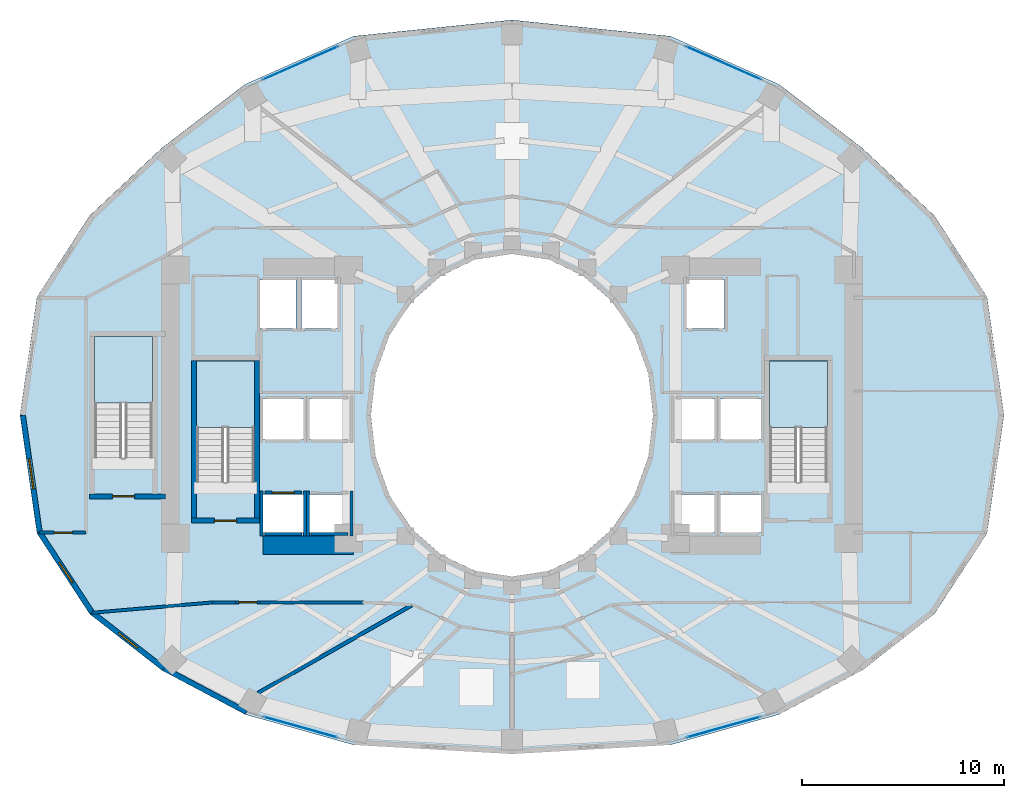
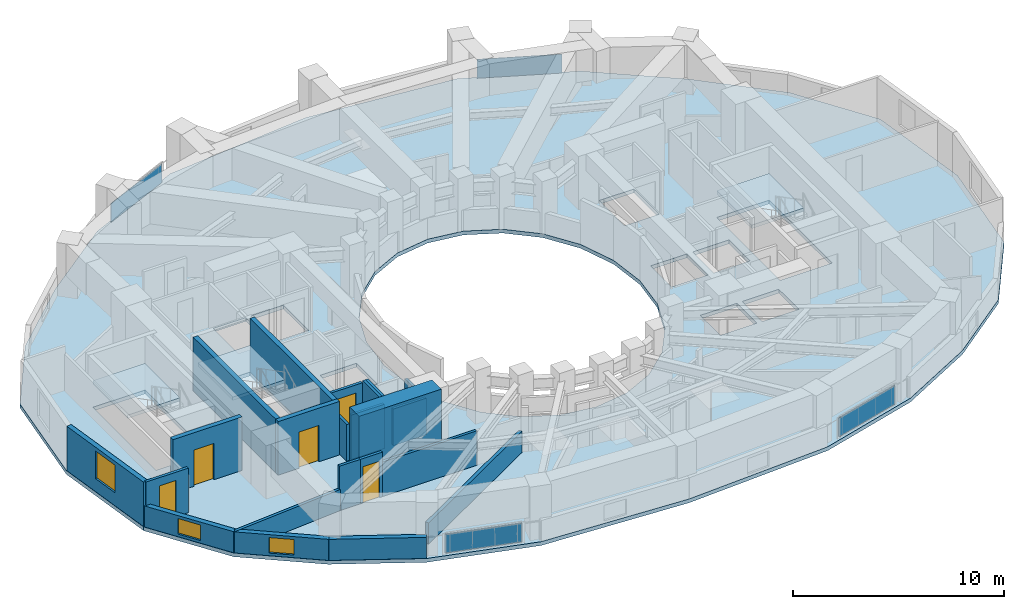
# One storey, part 8 of 16: 22 walls, 5 doors, 4 plates, 4 slabs, 3 windows, 8 openings, 7 elements without a shape of their own.
"""IFC4 building model written with IfcOpenShell, lengths in metres."""

from ifc_helpers import new_model, si_unit, direction, frame, frame_2d, origin, origin_2d, place, context, subcontext, project, spatial, polyline, rectangle, outline, extrude, material, layer, layer_set, type_object, element, fill, aggregate, save


model = new_model("IFC4")

# Units and contexts
model_context = context("Model", 3, precision=1e-05, world=origin(), true_north=direction((0.0, 1.0)))
body_context = subcontext(model_context, "Body", "Model", "MODEL_VIEW")
ifc_project = project(units=[si_unit("LENGTHUNIT", "METRE"), si_unit("AREAUNIT", "SQUARE_METRE"), si_unit("VOLUMEUNIT", "CUBIC_METRE"), si_unit("PLANEANGLEUNIT", "RADIAN"), si_unit("MASSUNIT", "GRAM", prefix="KILO")], contexts=[model_context])

# Site, building, storey
site_placement = place(None, origin())
site = spatial("IfcSite", under=ifc_project, at=site_placement, CompositionType="ELEMENT")
building_placement = place(site_placement, origin())
building = spatial("IfcBuilding", under=site, at=building_placement, Name="Solvane Sanctuary Tower", CompositionType="ELEMENT")
storey_placement = place(building_placement, frame((0.0, 0.0, 82.5)))
storey = spatial("IfcBuildingStorey", under=building, at=storey_placement, Name="L24", CompositionType="ELEMENT", Elevation=82.5)

# Curtain wall, plate
ifc_material_1 = material(Name="Anodised Aluminium 6063-T6", Category="aluminium")
ifc_layer_1 = layer(ifc_material_1, 0.179931640625, Name="Anodised Aluminium 6063-T6")
ifc_layer_set_1 = layer_set([ifc_layer_1], Name="Anodised Aluminium 6063-T6")
curtain_wall_type = type_object("IfcCurtainWallType", Name="Curtain Wall CW-FRIT-Z2", PredefinedType="NOTDEFINED", material=ifc_layer_set_1)
curtain_wall_1_placement = place(storey_placement, origin())
curtain_wall_1 = element("IfcCurtainWall", 1, at=curtain_wall_1_placement, inside=storey, type_object=curtain_wall_type, Name="L24 CW-FRIT-Z2 Facade Run 04", PredefinedType="NOTDEFINED")
ifc_material_2 = material(Name="Dark Ceramic-Fritted Low-E Glass", Category="glass")
ifc_layer_2 = layer(ifc_material_2, 0.031982421875, Name="Dark Ceramic-Fritted Low-E Glass")
ifc_layer_set_2 = layer_set([ifc_layer_2], Name="Dark Ceramic-Fritted Low-E Glass")
plate_type = type_object("IfcPlateType", Name="Plate PN-FRIT-VIS", PredefinedType="CURTAIN_PANEL", material=ifc_layer_set_2)
plate_1_placement = place(storey_placement, frame((42.494873046875, 40.46435546875, 0.06494140625), z_axis=(0.0, 0.0, 1.0), x_axis=(-0.914338607285, 0.404950504664, 0.0)))
plate_1 = element("IfcPlate", 2, at=plate_1_placement, type_object=plate_type, Name="CW-FRIT-Z2 panel 1.1", PredefinedType="CURTAIN_PANEL", context=body_context, shape_type="SweptSolid", body=[
    extrude(rectangle(XDim=4.06884765625, YDim=0.031982421875, at=origin_2d()), origin(), (0.0, 0.0, 1.0), 1.090087890625),
])
aggregate(curtain_wall_1, [plate_1])

curtain_wall_2_placement = place(storey_placement, origin())
curtain_wall_2 = element("IfcCurtainWall", 3, at=curtain_wall_2_placement, inside=storey, type_object=curtain_wall_type, Name="L24 CW-FRIT-Z2 Facade Run 07", PredefinedType="NOTDEFINED")
plate_2_placement = place(storey_placement, frame((21.505126953125, 40.46435546875, 0.06494140625), z_axis=(0.0, 0.0, 1.0), x_axis=(-0.914338607285, -0.404950504664, 0.0)))
plate_2 = element("IfcPlate", 4, at=plate_2_placement, type_object=plate_type, Name="CW-FRIT-Z2 panel 1.1", PredefinedType="CURTAIN_PANEL", context=body_context, shape_type="SweptSolid", body=[
    extrude(rectangle(XDim=4.06884765625, YDim=0.031982421875, at=origin_2d()), origin(), (0.0, 0.0, 1.0), 1.090087890625),
])
aggregate(curtain_wall_2, [plate_2])

curtain_wall_3_placement = place(storey_placement, origin())
curtain_wall_3 = element("IfcCurtainWall", 5, at=curtain_wall_3_placement, inside=storey, type_object=curtain_wall_type, Name="L24 CW-FRIT-Z2 Facade Run 16", PredefinedType="NOTDEFINED")
plate_3_placement = place(storey_placement, frame((21.505126953125, 7.528564453125, 0.06494140625), z_axis=(0.0, 0.0, 1.0), x_axis=(0.962943103308, -0.269704615814, 0.0)))
plate_3 = element("IfcPlate", 6, at=plate_3_placement, type_object=plate_type, Name="CW-FRIT-Z2 panel 1.1", PredefinedType="CURTAIN_PANEL", context=body_context, shape_type="SweptSolid", body=[
    extrude(rectangle(XDim=3.773193359375, YDim=0.031982421875, at=origin_2d()), origin(), (0.0, 0.0, 1.0), 1.090087890625),
])
aggregate(curtain_wall_3, [plate_3])

curtain_wall_4_placement = place(storey_placement, origin())
curtain_wall_4 = element("IfcCurtainWall", 7, at=curtain_wall_4_placement, inside=storey, type_object=curtain_wall_type, Name="L24 CW-FRIT-Z2 Facade Run 19", PredefinedType="NOTDEFINED")
plate_4_placement = place(storey_placement, frame((42.494873046875, 7.528564453125, 0.06494140625), z_axis=(0.0, 0.0, 1.0), x_axis=(0.962943103308, 0.269704615814, 0.0)))
plate_4 = element("IfcPlate", 8, at=plate_4_placement, type_object=plate_type, Name="CW-FRIT-Z2 panel 1.1", PredefinedType="CURTAIN_PANEL", context=body_context, shape_type="SweptSolid", body=[
    extrude(rectangle(XDim=3.773193359375, YDim=0.031982421875, at=origin_2d()), origin(), (0.0, 0.0, 1.0), 1.090087890625),
])
aggregate(curtain_wall_4, [plate_4])

# Stair, slab
ifc_material_3 = material(Name="Concrete C45/55", Category="concrete")
stair_type = type_object("IfcStairType", Name="Stair ST-TOW", PredefinedType="HALF_TURN_STAIR", material=ifc_material_3)
stair_1_placement = place(storey_placement, origin())
stair_1 = element("IfcStair", 9, at=stair_1_placement, inside=storey, type_object=stair_type, Name="L24 Exit Stair ST-1 West Core", PredefinedType="HALF_TURN_STAIR")
ifc_layer_3 = layer(ifc_material_3, 0.199951171875, Name="Concrete C45/55")
ifc_layer_set_3 = layer_set([ifc_layer_3], Name="Concrete C45/55")
slab_type_1 = type_object("IfcSlabType", Name="Slab SL-LAND-180", PredefinedType="LANDING", material=ifc_layer_set_3)
slab_1_placement = place(storey_placement, frame((0.0, 0.0, 1.35009765625)))
slab_1 = element("IfcSlab", 10, at=slab_1_placement, type_object=slab_type_1, Name="ST-1 landing 1", PredefinedType="LANDING", context=body_context, shape_type="SweptSolid", body=[
    extrude(outline(polyline([(19.219970703125, 22.39990234375), (19.219970703125, 25.699951171875), (16.360107421875, 25.699951171875), (16.360107421875, 22.39990234375), (19.219970703125, 22.39990234375)])), origin(), (0.0, 0.0, 1.0), 0.199951171875),
])
aggregate(stair_1, [slab_1])

stair_2_placement = place(storey_placement, origin())
stair_2 = element("IfcStair", 11, at=stair_2_placement, inside=storey, type_object=stair_type, Name="L24 Exit Stair ST-2 East Core", PredefinedType="HALF_TURN_STAIR")
slab_2_placement = place(storey_placement, frame((0.0, 0.0, 1.35009765625)))
slab_2 = element("IfcSlab", 12, at=slab_2_placement, type_object=slab_type_1, Name="ST-2 landing 1", PredefinedType="LANDING", context=body_context, shape_type="SweptSolid", body=[
    extrude(outline(polyline([(47.639892578125, 22.39990234375), (47.639892578125, 25.699951171875), (44.780029296875, 25.699951171875), (44.780029296875, 22.39990234375), (47.639892578125, 22.39990234375)])), origin(), (0.0, 0.0, 1.0), 0.199951171875),
])
aggregate(stair_2, [slab_2])

stair_3_placement = place(storey_placement, origin())
stair_3 = element("IfcStair", 13, at=stair_3_placement, inside=storey, type_object=stair_type, Name="L24 Exit Stair ST-3 Pilgrim Tower Stair", PredefinedType="HALF_TURN_STAIR")
slab_3_placement = place(storey_placement, frame((0.0, 0.0, 1.35009765625)))
slab_3 = element("IfcSlab", 14, at=slab_3_placement, type_object=slab_type_1, Name="ST-3 landing 1", PredefinedType="LANDING", context=body_context, shape_type="SweptSolid", body=[
    extrude(outline(polyline([(14.159912109375, 23.60009765625), (14.159912109375, 26.89990234375), (11.300048828125, 26.89990234375), (11.300048828125, 23.60009765625), (14.159912109375, 23.60009765625)])), origin(), (0.0, 0.0, 1.0), 0.199951171875),
])
aggregate(stair_3, [slab_3])

# Slab
ifc_layer_4 = layer(ifc_material_3, 0.219970703125, Name="Concrete C45/55")
ifc_layer_set_4 = layer_set([ifc_layer_4], Name="Concrete C45/55")
slab_type_2 = type_object("IfcSlabType", Name="Slab SL-TOW-220", PredefinedType="FLOOR", material=ifc_layer_set_4)
slab_4_placement = place(storey_placement, frame((0.0, 0.0, -0.219970703125)))
element("IfcSlab", 15, at=slab_4_placement, inside=storey, type_object=slab_type_2, Name="L24 Primary Structural Slab", PredefinedType="FLOOR", context=body_context, shape_type="SweptSolid", body=[
    extrude(outline(polyline([(56.39990234375, 23.0), (55.556884765625, 28.86376953125), (52.94091796875, 32.903076171875), (49.365478515625, 36.255126953125), (45.249267578125, 39.404296875), (39.861328125, 41.795166015625), (32.0, 42.60009765625), (24.138671875, 41.795166015625), (18.750732421875, 39.404296875), (14.634521484375, 36.255126953125), (11.05908203125, 32.903076171875), (8.443115234375, 28.86376953125), (7.60009765625, 23.0), (8.443115234375, 17.13623046875), (11.05908203125, 13.1376953125), (14.634521484375, 10.349609375), (18.750732421875, 8.16455078125), (24.138671875, 6.652587890625), (32.0, 6.199951171875), (39.861328125, 6.652587890625), (45.249267578125, 8.16455078125), (49.365478515625, 10.349609375), (52.94091796875, 13.1376953125), (55.556884765625, 17.13623046875), (56.39990234375, 23.0)]), holes=[polyline([(38.761474609375, 20.929443359375), (38.062255859375, 19.0), (36.94970703125, 17.343017578125), (35.5, 16.07177734375), (33.811767578125, 15.272705078125), (32.0, 15.0), (30.188232421875, 15.272705078125), (28.5, 16.07177734375), (27.05029296875, 17.343017578125), (25.937744140625, 19.0), (25.238525390625, 20.929443359375), (25.0, 23.0), (25.238525390625, 25.070556640625), (25.937744140625, 27.0), (27.05029296875, 28.656982421875), (28.5, 29.92822265625), (30.188232421875, 30.727294921875), (32.0, 31.0), (33.811767578125, 30.727294921875), (35.5, 29.92822265625), (36.94970703125, 28.656982421875), (38.062255859375, 27.0), (38.761474609375, 25.070556640625), (39.0, 23.0), (38.761474609375, 20.929443359375)]), polyline([(16.360107421875, 19.699951171875), (16.360107421875, 25.699951171875), (19.219970703125, 25.699951171875), (19.219970703125, 19.699951171875), (16.360107421875, 19.699951171875)]), polyline([(44.780029296875, 19.699951171875), (44.780029296875, 25.699951171875), (47.639892578125, 25.699951171875), (47.639892578125, 19.699951171875), (44.780029296875, 19.699951171875)]), polyline([(11.300048828125, 20.89990234375), (11.300048828125, 26.89990234375), (14.159912109375, 26.89990234375), (14.159912109375, 20.89990234375), (11.300048828125, 20.89990234375)]), polyline([(19.64990234375, 19.080078125), (21.64990234375, 19.080078125), (21.64990234375, 17.179931640625), (19.64990234375, 17.179931640625), (19.64990234375, 19.080078125)]), polyline([(21.949951171875, 19.080078125), (23.949951171875, 19.080078125), (23.949951171875, 17.179931640625), (21.949951171875, 17.179931640625), (21.949951171875, 19.080078125)]), polyline([(40.050048828125, 19.080078125), (42.050048828125, 19.080078125), (42.050048828125, 17.179931640625), (40.050048828125, 17.179931640625), (40.050048828125, 19.080078125)]), polyline([(42.35009765625, 19.080078125), (44.35009765625, 19.080078125), (44.35009765625, 17.179931640625), (42.35009765625, 17.179931640625), (42.35009765625, 19.080078125)]), polyline([(19.64990234375, 23.800048828125), (21.64990234375, 23.800048828125), (21.64990234375, 21.800048828125), (19.64990234375, 21.800048828125), (19.64990234375, 23.800048828125)]), polyline([(42.35009765625, 23.800048828125), (44.35009765625, 23.800048828125), (44.35009765625, 21.800048828125), (42.35009765625, 21.800048828125), (42.35009765625, 23.800048828125)]), polyline([(21.949951171875, 23.800048828125), (23.949951171875, 23.800048828125), (23.949951171875, 21.800048828125), (21.949951171875, 21.800048828125), (21.949951171875, 23.800048828125)]), polyline([(40.050048828125, 23.800048828125), (42.050048828125, 23.800048828125), (42.050048828125, 21.800048828125), (40.050048828125, 21.800048828125), (40.050048828125, 23.800048828125)]), polyline([(19.5, 29.699951171875), (21.300048828125, 29.699951171875), (21.300048828125, 27.300048828125), (19.5, 27.300048828125), (19.5, 29.699951171875)]), polyline([(21.550048828125, 29.699951171875), (23.35009765625, 29.699951171875), (23.35009765625, 27.300048828125), (21.550048828125, 27.300048828125), (21.550048828125, 29.699951171875)]), polyline([(40.64990234375, 29.699951171875), (42.550048828125, 29.699951171875), (42.550048828125, 27.300048828125), (40.64990234375, 27.300048828125), (40.64990234375, 29.699951171875)])]), origin(), (0.0, 0.0, 1.0), 0.219970703125),
])

# Wall
ifc_material_4 = material(Name="Concrete C70/85", Category="concrete")
ifc_layer_5 = layer(ifc_material_4, 0.89990234375, Name="Concrete C70/85")
ifc_layer_set_5 = layer_set([ifc_layer_5], Name="Concrete C70/85")
wall_type_1 = type_object("IfcWallType", Name="Wall W-CORE-900", PredefinedType="SHEAR", material=ifc_layer_set_5)
wall_1_placement = place(storey_placement, frame((19.64990234375, 16.550048828125, 0.0), z_axis=(0.0, 0.0, 1.0), x_axis=(1.0, 0.0, 0.0)))
element("IfcWall", 16, at=wall_1_placement, inside=storey, type_object=wall_type_1, Name="L24 Core Shear Wall WC-S", PredefinedType="SHEAR", context=body_context, shape_type="SweptSolid", body=[
    extrude(rectangle(XDim=4.5, YDim=0.89990234375, at=frame_2d((2.25, 0.0))), origin(), (0.0, 0.0, 1.0), 3.10009765625),
])

# Wall, opening, door
ifc_material_5 = material(Name="Acoustic Gypsum Partition Board")
ifc_layer_6 = layer(ifc_material_5, 0.14990234375, Name="Acoustic Gypsum Partition Board")
ifc_layer_set_6 = layer_set([ifc_layer_6], Name="Acoustic Gypsum Partition Board")
wall_type_2 = type_object("IfcWallType", Name="Wall W-CORR-150", PredefinedType="PARTITIONING", material=ifc_layer_set_6)
wall_2_placement = place(storey_placement, frame((8.558349609375, 17.1748046875, 0.0), z_axis=(0.0, 0.0, 1.0), x_axis=(1.0, 0.0, 0.0)))
wall_2 = element("IfcWall", 17, at=wall_2_placement, inside=storey, type_object=wall_type_2, Name="L24 West Shoulder South Wall", PredefinedType="PARTITIONING", context=body_context, shape_type="SweptSolid", body=[
    extrude(rectangle(XDim=2.321533203125, YDim=0.14990234375, at=frame_2d((1.16064453125, 0.0))), origin(), (0.0, 0.0, 1.0), 2.574951171875),
])
opening_1_placement = place(wall_2_placement, frame((0.739013671875, 0.0, 0.0)))
opening_1 = element("IfcOpeningElement", 18, at=opening_1_placement, cuts=wall_2, Name="Opening D-L24-10", PredefinedType="OPENING", context=body_context, shape_type="SweptSolid", body=[
    extrude(rectangle(XDim=0.89990234375, YDim=2.10009765625, at=frame_2d((0.449951171875, 1.050048828125))), frame((0.0, 0.0849609375, 0.0), z_axis=(0.0, -1.0, 0.0), x_axis=(1.0, 0.0, 0.0)), (0.0, 0.0, 1.0), 0.169921875),
])
ifc_material_6 = material(Name="Engineered Tropical Hardwood", Category="wood")
door_type_1 = type_object("IfcDoorType", Name="Door D-WET-900", OperationType="NOTDEFINED", PredefinedType="DOOR", material=ifc_material_6)
door_1_placement = place(opening_1_placement, origin())
door_1 = element("IfcDoor", 19, at=door_1_placement, inside=storey, type_object=door_type_1, Name="L24 West Shoulder South Door", OperationType="SINGLE_SWING_LEFT", OverallHeight=2.10009765625, OverallWidth=0.89990234375, PredefinedType="DOOR", context=body_context, shape_type="SweptSolid", body=[
    extrude(rectangle(XDim=0.89990234375, YDim=2.10009765625, at=frame_2d((0.449951171875, 1.050048828125))), frame((0.0, 0.02490234375, 0.0), z_axis=(0.0, -1.0, 0.0), x_axis=(1.0, 0.0, 0.0)), (0.0, 0.0, 1.0), 0.050048828125),
])
fill(opening_1, door_1)

# Wall
wall_3_placement = place(storey_placement, frame((17.14990234375, 13.719970703125, 0.0), z_axis=(0.0, 0.0, 1.0), x_axis=(1.0, 0.0, 0.0)))
element("IfcWall", 20, at=wall_3_placement, inside=storey, type_object=wall_type_2, Name="L24 SW Corner Corridor Wall", PredefinedType="PARTITIONING", context=body_context, shape_type="SweptSolid", body=[
    extrude(rectangle(XDim=1.14013671875, YDim=0.14990234375, at=frame_2d((0.570068359375, 0.0))), origin(), (0.0, 0.0, 1.0), 2.574951171875),
])

# Wall, opening, door
wall_4_placement = place(storey_placement, frame((18.2900390625, 13.719970703125, 0.0), z_axis=(0.0, 0.0, 1.0), x_axis=(1.0, 0.0, 0.0)))
wall_4 = element("IfcWall", 21, at=wall_4_placement, inside=storey, type_object=wall_type_2, Name="L24 SW Corner Corridor Wall", PredefinedType="PARTITIONING", context=body_context, shape_type="SweptSolid", body=[
    extrude(rectangle(XDim=1.219970703125, YDim=0.14990234375, at=frame_2d((0.60986328125, 0.0))), origin(), (0.0, 0.0, 1.0), 2.574951171875),
])
opening_2_placement = place(wall_4_placement, frame((0.159912109375, 0.0, 0.0)))
opening_2 = element("IfcOpeningElement", 22, at=opening_2_placement, cuts=wall_4, Name="Opening D-L24-13", PredefinedType="OPENING", context=body_context, shape_type="SweptSolid", body=[
    extrude(rectangle(XDim=0.89990234375, YDim=2.10009765625, at=frame_2d((0.449951171875, 1.050048828125))), frame((0.0, 0.0849609375, 0.0), z_axis=(0.0, -1.0, 0.0), x_axis=(1.0, 0.0, 0.0)), (0.0, 0.0, 1.0), 0.169921875),
])
door_2_placement = place(opening_2_placement, origin())
door_2 = element("IfcDoor", 23, at=door_2_placement, inside=storey, type_object=door_type_1, Name="L24 SW Corner Salon Door", OperationType="SINGLE_SWING_RIGHT", OverallHeight=2.10009765625, OverallWidth=0.89990234375, PredefinedType="DOOR", context=body_context, shape_type="SweptSolid", body=[
    extrude(rectangle(XDim=0.89990234375, YDim=2.10009765625, at=frame_2d((0.449951171875, 1.050048828125))), frame((0.0, 0.02490234375, 0.0), z_axis=(0.0, -1.0, 0.0), x_axis=(1.0, 0.0, 0.0)), (0.0, 0.0, 1.0), 0.050048828125),
])
fill(opening_2, door_2)

# Walls
wall_5_placement = place(storey_placement, frame((19.510009765625, 13.719970703125, 0.0), z_axis=(0.0, 0.0, 1.0), x_axis=(1.0, 0.0, 0.0)))
element("IfcWall", 24, at=wall_5_placement, inside=storey, type_object=wall_type_2, Name="L24 SW Corner Corridor Wall", PredefinedType="PARTITIONING", context=body_context, shape_type="SweptSolid", body=[
    extrude(rectangle(XDim=5.159912109375, YDim=0.14990234375, at=frame_2d((2.580078125, 0.0))), origin(), (0.0, 0.0, 1.0), 1.991943359375),
])
wall_6_placement = place(storey_placement, frame((17.249755859375, 13.724365234375, 0.0), z_axis=(0.0, 0.0, 1.0), x_axis=(-0.996341886029, -0.085456691633, 0.0)))
element("IfcWall", 25, at=wall_6_placement, inside=storey, type_object=wall_type_2, Name="L24 SW Corner Wing Wall", PredefinedType="PARTITIONING", context=body_context, shape_type="SweptSolid", body=[
    extrude(rectangle(XDim=6.108154296875, YDim=0.14990234375, at=frame_2d((3.05419921875, 0.0))), origin(), (0.0, 0.0, 1.0), 1.219970703125),
])

# Wall, opening, window
ifc_material_7 = material(Name="Precast concrete C40/50", Category="concrete")
ifc_layer_7 = layer(ifc_material_7, 0.260009765625, Name="Precast concrete C40/50")
ifc_layer_set_7 = layer_set([ifc_layer_7], Name="Precast concrete C40/50")
wall_type_3 = type_object("IfcWallType", Name="Wall W-EXT-250", PredefinedType="STANDARD", material=ifc_layer_set_7)
wall_7_placement = place(storey_placement, frame((7.739990234375, 23.0, 0.0), z_axis=(0.0, 0.0, 1.0), x_axis=(0.142572472068, -0.98978436551, 0.0)))
wall_7 = element("IfcWall", 26, at=wall_7_placement, inside=storey, type_object=wall_type_3, Name="L24 Ceramic-Printed Facade Wall 12", PredefinedType="STANDARD", context=body_context, shape_type="SweptSolid", body=[
    extrude(rectangle(XDim=5.878662109375, YDim=0.260009765625, at=frame_2d((2.939453125, 0.0))), origin(), (0.0, 0.0, 1.0), 2.570068359375),
])
opening_3_placement = place(wall_7_placement, frame((2.189453125, 0.0, 0.75)))
opening_3 = element("IfcOpeningElement", 27, at=opening_3_placement, cuts=wall_7, Name="Opening WN-OPER-1500", PredefinedType="OPENING", context=body_context, shape_type="SweptSolid", body=[
    extrude(rectangle(XDim=1.5, YDim=1.60009765625, at=frame_2d((0.75, 0.800048828125))), frame((0.0, 0.139892578125, 0.0), z_axis=(0.0, -1.0, 0.0), x_axis=(1.0, 0.0, 0.0)), (0.0, 0.0, 1.0), 0.280029296875),
])
window_type_1 = type_object("IfcWindowType", Name="Window WN-OPER-1500", PartitioningType="SINGLE_PANEL", PredefinedType="WINDOW", material=ifc_material_2)
window_1_placement = place(opening_3_placement, origin())
window_1 = element("IfcWindow", 28, at=window_1_placement, inside=storey, type_object=window_type_1, Name="L24 Operable Facade Window 12", OverallHeight=1.60009765625, OverallWidth=1.5, PartitioningType="SINGLE_PANEL", PredefinedType="WINDOW", context=body_context, shape_type="SweptSolid", body=[
    extrude(rectangle(XDim=1.5, YDim=1.60009765625, at=frame_2d((0.75, 0.800048828125))), frame((0.0, 0.030029296875, 0.0), z_axis=(0.0, -1.0, 0.0), x_axis=(1.0, 0.0, 0.0)), (0.0, 0.0, 1.0), 0.06005859375),
])
fill(opening_3, window_1)

wall_8_placement = place(storey_placement, frame((8.578125, 17.181396484375, 0.0), z_axis=(0.0, 0.0, 1.0), x_axis=(0.548283220945, -0.836292717672, 0.0)))
wall_8 = element("IfcWall", 29, at=wall_8_placement, inside=storey, type_object=wall_type_3, Name="L24 Ceramic-Printed Facade Wall 13", PredefinedType="STANDARD", context=body_context, shape_type="SweptSolid", body=[
    extrude(rectangle(XDim=4.744384765625, YDim=0.260009765625, at=frame_2d((2.3720703125, 0.0))), origin(), (0.0, 0.0, 1.0), 1.219970703125),
])
opening_4_placement = place(wall_8_placement, frame((1.772216796875, 0.0, 0.14990234375)))
opening_4 = element("IfcOpeningElement", 30, at=opening_4_placement, cuts=wall_8, Name="Opening WN-OPER-1200", PredefinedType="OPENING", context=body_context, shape_type="SweptSolid", body=[
    extrude(rectangle(XDim=1.199951171875, YDim=0.89990234375, at=frame_2d((0.60009765625, 0.449951171875))), frame((0.0, 0.139892578125, 0.0), z_axis=(0.0, -1.0, 0.0), x_axis=(1.0, 0.0, 0.0)), (0.0, 0.0, 1.0), 0.280029296875),
])
window_type_2 = type_object("IfcWindowType", Name="Window WN-OPER-1200", PartitioningType="SINGLE_PANEL", PredefinedType="WINDOW", material=ifc_material_2)
window_2_placement = place(opening_4_placement, origin())
window_2 = element("IfcWindow", 31, at=window_2_placement, inside=storey, type_object=window_type_2, Name="L24 Operable Facade Window 13", OverallHeight=0.89990234375, OverallWidth=1.199951171875, PartitioningType="SINGLE_PANEL", PredefinedType="WINDOW", context=body_context, shape_type="SweptSolid", body=[
    extrude(rectangle(XDim=1.199951171875, YDim=0.89990234375, at=frame_2d((0.60009765625, 0.449951171875))), frame((0.0, 0.030029296875, 0.0), z_axis=(0.0, -1.0, 0.0), x_axis=(1.0, 0.0, 0.0)), (0.0, 0.0, 1.0), 0.06005859375),
])
fill(opening_4, window_2)

wall_9_placement = place(storey_placement, frame((11.179443359375, 13.213623046875, 0.0), z_axis=(0.0, 0.0, 1.0), x_axis=(0.789127449954, -0.614229491094, 0.0)))
wall_9 = element("IfcWall", 32, at=wall_9_placement, inside=storey, type_object=wall_type_3, Name="L24 Ceramic-Printed Facade Wall 14", PredefinedType="STANDARD", context=body_context, shape_type="SweptSolid", body=[
    extrude(rectangle(XDim=4.504638671875, YDim=0.260009765625, at=frame_2d((2.25244140625, 0.0))), origin(), (0.0, 0.0, 1.0), 1.219970703125),
])
opening_5_placement = place(wall_9_placement, frame((1.65234375, 0.0, 0.14990234375)))
opening_5 = element("IfcOpeningElement", 33, at=opening_5_placement, cuts=wall_9, Name="Opening WN-OPER-1200", PredefinedType="OPENING", context=body_context, shape_type="SweptSolid", body=[
    extrude(rectangle(XDim=1.199951171875, YDim=0.89990234375, at=frame_2d((0.60009765625, 0.449951171875))), frame((0.0, 0.139892578125, 0.0), z_axis=(0.0, -1.0, 0.0), x_axis=(1.0, 0.0, 0.0)), (0.0, 0.0, 1.0), 0.280029296875),
])
window_3_placement = place(opening_5_placement, origin())
window_3 = element("IfcWindow", 34, at=window_3_placement, inside=storey, type_object=window_type_2, Name="L24 Operable Facade Window 14", OverallHeight=0.89990234375, OverallWidth=1.199951171875, PartitioningType="SINGLE_PANEL", PredefinedType="WINDOW", context=body_context, shape_type="SweptSolid", body=[
    extrude(rectangle(XDim=1.199951171875, YDim=0.89990234375, at=frame_2d((0.60009765625, 0.449951171875))), frame((0.0, 0.030029296875, 0.0), z_axis=(0.0, -1.0, 0.0), x_axis=(1.0, 0.0, 0.0)), (0.0, 0.0, 1.0), 0.06005859375),
])
fill(opening_5, window_3)

# Wall
wall_10_placement = place(storey_placement, frame((14.734130859375, 10.44677734375, 0.0), z_axis=(0.0, 0.0, 1.0), x_axis=(0.883668636807, -0.4681129568, 0.0)))
element("IfcWall", 35, at=wall_10_placement, inside=storey, type_object=wall_type_3, Name="L24 Ceramic-Printed Facade Wall 15", PredefinedType="STANDARD", context=body_context, shape_type="SweptSolid", body=[
    extrude(rectangle(XDim=4.63134765625, YDim=0.260009765625, at=frame_2d((2.315673828125, 0.0))), origin(), (0.0, 0.0, 1.0), 1.219970703125),
])

# Wall, opening, door
ifc_material_8 = material(Name="Concrete C50/60", Category="concrete")
ifc_layer_8 = layer(ifc_material_8, 0.14990234375, Name="Concrete C50/60")
ifc_layer_set_8 = layer_set([ifc_layer_8], Name="Concrete C50/60")
wall_type_4 = type_object("IfcWallType", Name="Wall W-SHAFT-150", PredefinedType="SOLIDWALL", material=ifc_layer_set_8)
wall_11_placement = place(storey_placement, frame((19.739990234375, 19.159912109375, 0.0), z_axis=(0.0, 0.0, 1.0), x_axis=(1.0, 0.0, 0.0)))
wall_11 = element("IfcWall", 36, at=wall_11_placement, inside=storey, type_object=wall_type_4, Name="L24 PL-1 Lift Shaft Wall F", PredefinedType="SOLIDWALL", context=body_context, shape_type="SweptSolid", body=[
    extrude(rectangle(XDim=1.820068359375, YDim=0.14990234375, at=frame_2d((0.91015625, 0.0))), origin(), (0.0, 0.0, 1.0), 2.574951171875),
])
opening_6_placement = place(wall_11_placement, frame((0.360107421875, 0.0, 0.0)))
opening_6 = element("IfcOpeningElement", 37, at=opening_6_placement, cuts=wall_11, Name="Opening LD-L24-01", PredefinedType="OPENING", context=body_context, shape_type="SweptSolid", body=[
    extrude(rectangle(XDim=1.10009765625, YDim=2.10009765625, at=frame_2d((0.550048828125, 1.050048828125))), frame((0.0, 0.0849609375, 0.0), z_axis=(0.0, -1.0, 0.0), x_axis=(1.0, 0.0, 0.0)), (0.0, 0.0, 1.0), 0.169921875),
])
ifc_material_9 = material(Name="Architectural Stainless Steel 316", Category="steel")
door_type_2 = type_object("IfcDoorType", Name="Door LD-PASS-1100", OperationType="NOTDEFINED", PredefinedType="DOOR", material=ifc_material_9)
door_3_placement = place(opening_6_placement, origin())
door_3 = element("IfcDoor", 38, at=door_3_placement, inside=storey, type_object=door_type_2, Name="L24 PL-1 Lift Landing Door", OperationType="DOUBLE_DOOR_SLIDING", OverallHeight=2.10009765625, OverallWidth=1.10009765625, PredefinedType="DOOR", context=body_context, shape_type="SweptSolid", body=[
    extrude(rectangle(XDim=1.10009765625, YDim=2.10009765625, at=frame_2d((0.550048828125, 1.050048828125))), frame((0.0, 0.02490234375, 0.0), z_axis=(0.0, -1.0, 0.0), x_axis=(1.0, 0.0, 0.0)), (0.0, 0.0, 1.0), 0.050048828125),
])
fill(opening_6, door_3)

# Walls
wall_12_placement = place(storey_placement, frame((19.739990234375, 17.10009765625, 0.0), z_axis=(0.0, 0.0, 1.0), x_axis=(1.0, 0.0, 0.0)))
element("IfcWall", 39, at=wall_12_placement, inside=storey, type_object=wall_type_4, Name="L24 PL-1 Lift Shaft Wall B", PredefinedType="SOLIDWALL", context=body_context, shape_type="SweptSolid", body=[
    extrude(rectangle(XDim=1.820068359375, YDim=0.14990234375, at=frame_2d((0.91015625, 0.0))), origin(), (0.0, 0.0, 1.0), 2.574951171875),
])
wall_13_placement = place(storey_placement, frame((19.570068359375, 17.02001953125, 0.0), z_axis=(0.0, 0.0, 1.0), x_axis=(0.0, 1.0, 0.0)))
element("IfcWall", 40, at=wall_13_placement, inside=storey, type_object=wall_type_4, Name="L24 PL-1 Lift Shaft Wall S1", PredefinedType="SOLIDWALL", context=body_context, shape_type="SweptSolid", body=[
    extrude(rectangle(XDim=2.219970703125, YDim=0.14990234375, at=frame_2d((1.10986328125, 0.0))), origin(), (0.0, 0.0, 1.0), 2.1201171875),
])
wall_14_placement = place(storey_placement, frame((21.72998046875, 17.02001953125, 0.0), z_axis=(0.0, 0.0, 1.0), x_axis=(0.0, 1.0, 0.0)))
element("IfcWall", 41, at=wall_14_placement, inside=storey, type_object=wall_type_4, Name="L24 PL-1 Lift Shaft Wall S2", PredefinedType="SOLIDWALL", context=body_context, shape_type="SweptSolid", body=[
    extrude(rectangle(XDim=2.219970703125, YDim=0.14990234375, at=frame_2d((1.10986328125, 0.0))), origin(), (0.0, 0.0, 1.0), 2.574951171875),
])
wall_15_placement = place(storey_placement, frame((22.0400390625, 17.10009765625, 0.0), z_axis=(0.0, 0.0, 1.0), x_axis=(1.0, 0.0, 0.0)))
element("IfcWall", 42, at=wall_15_placement, inside=storey, type_object=wall_type_4, Name="L24 PL-2 Lift Shaft Wall B", PredefinedType="SOLIDWALL", context=body_context, shape_type="SweptSolid", body=[
    extrude(rectangle(XDim=1.820068359375, YDim=0.14990234375, at=frame_2d((0.91015625, 0.0))), origin(), (0.0, 0.0, 1.0), 2.1201171875),
])
wall_16_placement = place(storey_placement, frame((21.8701171875, 17.02001953125, 0.0), z_axis=(0.0, 0.0, 1.0), x_axis=(0.0, 1.0, 0.0)))
element("IfcWall", 43, at=wall_16_placement, inside=storey, type_object=wall_type_4, Name="L24 PL-2 Lift Shaft Wall S1", PredefinedType="SOLIDWALL", context=body_context, shape_type="SweptSolid", body=[
    extrude(rectangle(XDim=2.219970703125, YDim=0.14990234375, at=frame_2d((1.10986328125, 0.0))), origin(), (0.0, 0.0, 1.0), 2.574951171875),
])
wall_17_placement = place(storey_placement, frame((24.030029296875, 17.02001953125, 0.0), z_axis=(0.0, 0.0, 1.0), x_axis=(0.0, 1.0, 0.0)))
element("IfcWall", 44, at=wall_17_placement, inside=storey, type_object=wall_type_4, Name="L24 PL-2 Lift Shaft Wall S2", PredefinedType="SOLIDWALL", context=body_context, shape_type="SweptSolid", body=[
    extrude(rectangle(XDim=2.219970703125, YDim=0.14990234375, at=frame_2d((1.10986328125, 0.0))), origin(), (0.0, 0.0, 1.0), 1.873046875),
])

# Wall, opening, door
ifc_layer_9 = layer(ifc_material_8, 0.25, Name="Concrete C50/60")
ifc_layer_set_9 = layer_set([ifc_layer_9], Name="Concrete C50/60")
wall_type_5 = type_object("IfcWallType", Name="Wall W-SHAFT-250", PredefinedType="SOLIDWALL", material=ifc_layer_set_9)
wall_18_placement = place(storey_placement, frame((16.10498046875, 17.77001953125, 0.0), z_axis=(0.0, 0.0, 1.0), x_axis=(1.0, 0.0, 0.0)))
wall_18 = element("IfcWall", 45, at=wall_18_placement, inside=storey, type_object=wall_type_5, Name="L24 ST-1 Load-Bearing Shaft Wall S", PredefinedType="SOLIDWALL", context=body_context, shape_type="SweptSolid", body=[
    extrude(rectangle(XDim=3.3701171875, YDim=0.25, at=frame_2d((1.68505859375, 0.0))), origin(), (0.0, 0.0, 1.0), 3.10009765625),
])
opening_7_placement = place(wall_18_placement, frame((1.135009765625, 0.0, 0.0)))
opening_7 = element("IfcOpeningElement", 46, at=opening_7_placement, cuts=wall_18, Name="Opening D-L24-01", PredefinedType="OPENING", context=body_context, shape_type="SweptSolid", body=[
    extrude(rectangle(XDim=1.10009765625, YDim=2.10009765625, at=frame_2d((0.550048828125, 1.050048828125))), frame((0.0, 0.135009765625, 0.0), z_axis=(0.0, -1.0, 0.0), x_axis=(1.0, 0.0, 0.0)), (0.0, 0.0, 1.0), 0.27001953125),
])
door_type_3 = type_object("IfcDoorType", Name="Door D-STAIR", OperationType="NOTDEFINED", PredefinedType="DOOR", material=ifc_material_9)
door_4_placement = place(opening_7_placement, origin())
door_4 = element("IfcDoor", 47, at=door_4_placement, inside=storey, type_object=door_type_3, Name="L24 ST-1 Exit Stair Fire Door", OperationType="SINGLE_SWING_RIGHT", OverallHeight=2.10009765625, OverallWidth=1.10009765625, PredefinedType="DOOR", context=body_context, shape_type="SweptSolid", body=[
    extrude(rectangle(XDim=1.10009765625, YDim=2.10009765625, at=frame_2d((0.550048828125, 1.050048828125))), frame((0.0, 0.02490234375, 0.0), z_axis=(0.0, -1.0, 0.0), x_axis=(1.0, 0.0, 0.0)), (0.0, 0.0, 1.0), 0.050048828125),
])
fill(opening_7, door_4)

# Walls
for number, where, z_axis, x_axis, name in (
    (48, (16.22998046875, 17.89501953125, 0.0), (0.0, 0.0, 1.0), (0.0, 1.0, 0.0), "L24 ST-1 Load-Bearing Shaft Wall W"),
    (49, (19.35009765625, 17.89501953125, 0.0), (0.0, 0.0, 1.0), (0.0, 1.0, 0.0), "L24 ST-1 Load-Bearing Shaft Wall E"),
):
    element("IfcWall", number, at=place(storey_placement, frame(where, z_axis=z_axis, x_axis=x_axis)), inside=storey, type_object=wall_type_5, Name=name, PredefinedType="SOLIDWALL", context=body_context, shape_type="SweptSolid", body=[
        extrude(rectangle(XDim=7.81005859375, YDim=0.25, at=frame_2d((3.905029296875, 0.0))), origin(), (0.0, 0.0, 1.0), 3.10009765625),
    ])

# Wall, opening, door
wall_19_placement = place(storey_placement, frame((11.044921875, 18.969970703125, 0.0), z_axis=(0.0, 0.0, 1.0), x_axis=(1.0, 0.0, 0.0)))
wall_19 = element("IfcWall", 50, at=wall_19_placement, inside=storey, type_object=wall_type_5, Name="L24 ST-3 Load-Bearing Shaft Wall S", PredefinedType="SOLIDWALL", context=body_context, shape_type="SweptSolid", body=[
    extrude(rectangle(XDim=3.781982421875, YDim=0.25, at=frame_2d((1.89111328125, 0.0))), origin(), (0.0, 0.0, 1.0), 3.10009765625),
])
opening_8_placement = place(wall_19_placement, frame((1.135009765625, 0.0, 0.0)))
opening_8 = element("IfcOpeningElement", 51, at=opening_8_placement, cuts=wall_19, Name="Opening D-L24-03", PredefinedType="OPENING", context=body_context, shape_type="SweptSolid", body=[
    extrude(rectangle(XDim=1.10009765625, YDim=2.10009765625, at=frame_2d((0.550048828125, 1.050048828125))), frame((0.0, 0.135009765625, 0.0), z_axis=(0.0, -1.0, 0.0), x_axis=(1.0, 0.0, 0.0)), (0.0, 0.0, 1.0), 0.27001953125),
])
door_5_placement = place(opening_8_placement, origin())
door_5 = element("IfcDoor", 52, at=door_5_placement, inside=storey, type_object=door_type_3, Name="L24 ST-3 Exit Stair Fire Door", OperationType="SINGLE_SWING_RIGHT", OverallHeight=2.10009765625, OverallWidth=1.10009765625, PredefinedType="DOOR", context=body_context, shape_type="SweptSolid", body=[
    extrude(rectangle(XDim=1.10009765625, YDim=2.10009765625, at=frame_2d((0.550048828125, 1.050048828125))), frame((0.0, 0.02490234375, 0.0), z_axis=(0.0, -1.0, 0.0), x_axis=(1.0, 0.0, 0.0)), (0.0, 0.0, 1.0), 0.050048828125),
])
fill(opening_8, door_5)

# Wall
ifc_layer_10 = layer(ifc_material_5, 0.179931640625, Name="Acoustic Gypsum Partition Board")
ifc_layer_set_10 = layer_set([ifc_layer_10], Name="Acoustic Gypsum Partition Board")
wall_type_6 = type_object("IfcWallType", Name="Wall W-UNIT-180", PredefinedType="PARTITIONING", material=ifc_layer_set_10)
wall_20_placement = place(storey_placement, frame((27.027099609375, 13.576416015625, 0.0), z_axis=(0.0, 0.0, 1.0), x_axis=(-0.868484076301, -0.495717065685, 0.0)))
element("IfcWall", 53, at=wall_20_placement, inside=storey, type_object=wall_type_6, Name="L24 Radial Compartment Wall 240", PredefinedType="PARTITIONING", context=body_context, shape_type="SweptSolid", body=[
    extrude(rectangle(XDim=8.78857421875, YDim=0.179931640625, at=frame_2d((4.394287109375, 0.0))), origin(), (0.0, 0.0, 1.0), 1.219970703125),
])

save(model, "model.ifc")
